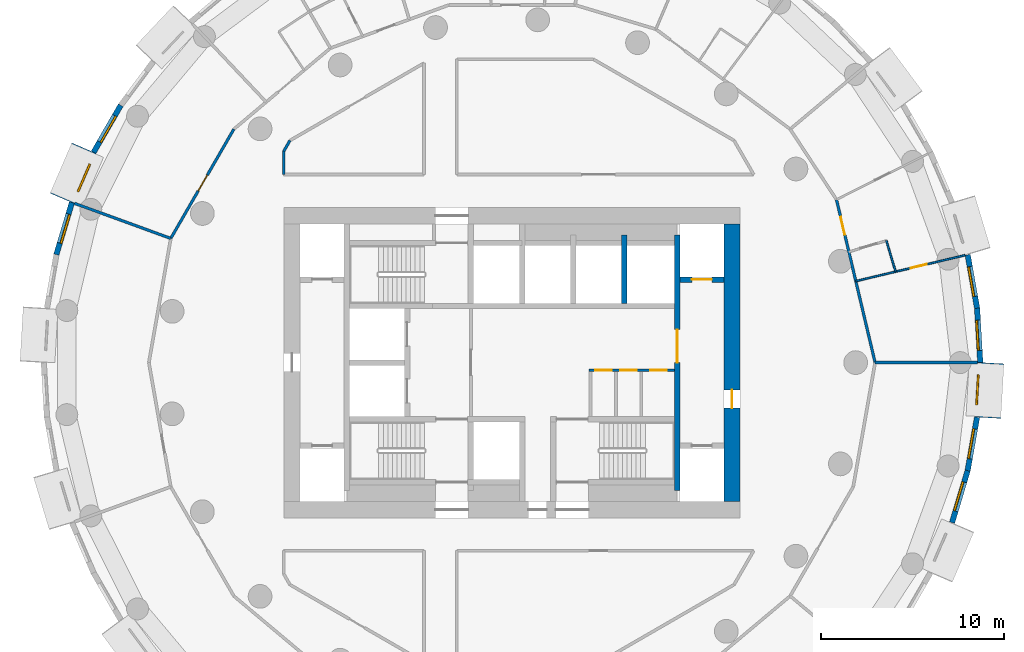
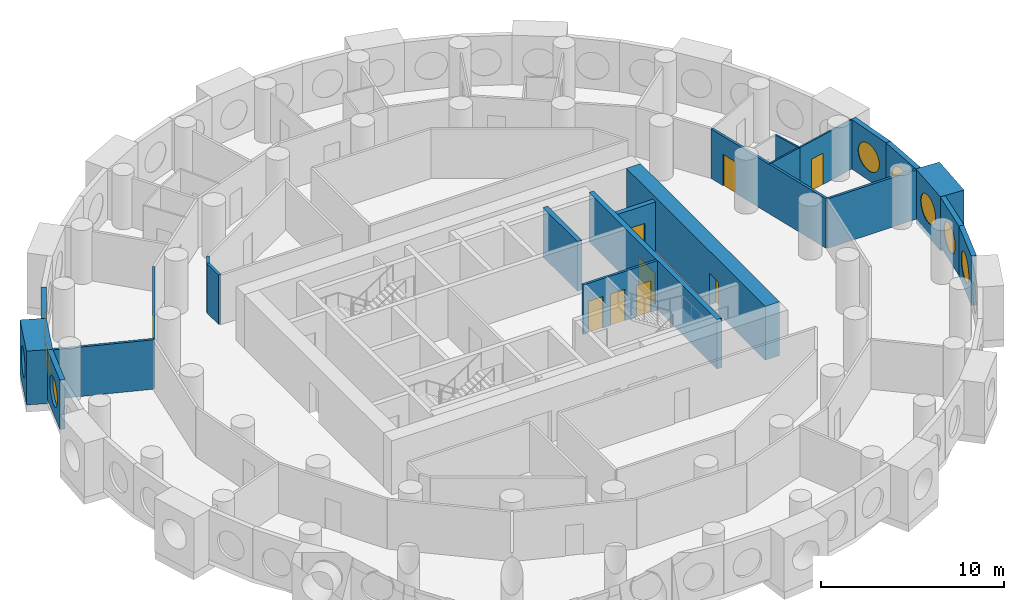
# One storey, part 5 of 9: 22 walls, 9 doors, 8 windows, 17 openings.
"""IFC4 building model written with IfcOpenShell, lengths in metres."""

import ifcopenshell
import ifcopenshell.guid

model = None  # the IFC model being written
_history = None  # IfcOwnerHistory: only IFC2X3 demands one
_inside = {}  # id of a spatial element -> (the spatial element, [elements in it])
_under = {}  # id of a project, library or spatial element -> (it, [spatial elements below it])
_declared = {}  # id of a project -> (the project, [libraries it declares])
_typed = {}  # id of a type object -> (the type object, [elements of that type])
_made_of = {}  # id of a material, layer set ... -> (it, [elements and type objects made of it])


def new_model(schema):
    """Start an empty IFC model of exactly this schema.

    Asked for "IFC4X3", IfcOpenShell would pick the latest addendum, in which some entities
    have other attributes; the version numbers below select the first issue.
    IFC2X3 requires an IfcOwnerHistory on every rooted entity: one is made here for all.
    """
    global model, _history
    if schema == "IFC4X3":
        model = ifcopenshell.file(schema_version=(4, 3, 0, 0))
    else:
        model = ifcopenshell.file(schema=schema)
    _inside.clear()
    _under.clear()
    _declared.clear()
    _typed.clear()
    _made_of.clear()
    _history = None
    if model.schema == "IFC2X3":
        org = make("IfcOrganization", Name="unknown")
        user = make(
            "IfcPersonAndOrganization",
            ThePerson=make("IfcPerson", FamilyName="unknown"),
            TheOrganization=org,
        )
        app = make(
            "IfcApplication",
            ApplicationDeveloper=org,
            Version="unknown",
            ApplicationFullName="unknown",
            ApplicationIdentifier="unknown",
        )
        _history = make(
            "IfcOwnerHistory",
            OwningUser=user,
            OwningApplication=app,
            ChangeAction="ADDED",
            CreationDate=0,
        )
    return model


def make(cls, **values):
    """One entity of the class cls with the attributes given. An attribute that is None is left unset."""
    return model.create_entity(
        cls, **{name: value for name, value in values.items() if value is not None}
    )


def rooted(cls, **values):
    """An entity with a GlobalId (a new one), such as an element, a storey or a relation."""
    return make(cls, GlobalId=ifcopenshell.guid.new(), OwnerHistory=_history, **values)


def si_unit(unit_type, name, prefix=None):
    """IfcSIUnit, for example si_unit("LENGTHUNIT", "METRE", prefix="MILLI")."""
    return make("IfcSIUnit", UnitType=unit_type, Prefix=prefix, Name=name)


def assignment(units):
    """IfcUnitAssignment: the units of a project."""
    return None if units is None else make("IfcUnitAssignment", Units=units)


def point(xyz):
    """IfcCartesianPoint."""
    return None if xyz is None else make("IfcCartesianPoint", Coordinates=xyz)


def direction(xyz):
    """IfcDirection."""
    return None if xyz is None else make("IfcDirection", DirectionRatios=xyz)


def frame(location, z_axis=None, x_axis=None):
    """IfcAxis2Placement3D, a coordinate frame: its origin and axes. An axis left out is left unset."""
    return make(
        "IfcAxis2Placement3D",
        Location=point(location),
        Axis=direction(z_axis),
        RefDirection=direction(x_axis),
    )


def frame_2d(location, x_axis=None):
    """IfcAxis2Placement2D, a coordinate frame in the plane: its origin and x axis."""
    return make(
        "IfcAxis2Placement2D", Location=point(location), RefDirection=direction(x_axis)
    )


def origin():
    """The frame at (0, 0, 0) with its axes left unset."""
    return frame((0.0, 0.0, 0.0))


def origin_2d():
    """The frame at (0, 0) in the plane with its x axis left unset."""
    return frame_2d((0.0, 0.0))


def place(relative_to, where):
    """IfcLocalPlacement: puts the frame where relative to a parent placement (None: the world)."""
    return make(
        "IfcLocalPlacement", PlacementRelTo=relative_to, RelativePlacement=where
    )


def context(
    kind, dimensions, precision=None, world=None, true_north=None, identifier=None
):
    """IfcGeometricRepresentationContext, for example the 3D "Model" context."""
    return make(
        "IfcGeometricRepresentationContext",
        ContextIdentifier=identifier,
        ContextType=kind,
        CoordinateSpaceDimension=dimensions,
        Precision=precision,
        WorldCoordinateSystem=world,
        TrueNorth=true_north,
    )


def subcontext(parent, identifier, kind, view, scale=None):
    """IfcGeometricRepresentationSubContext, for example "Body" below "Model"."""
    return make(
        "IfcGeometricRepresentationSubContext",
        ContextIdentifier=identifier,
        ContextType=kind,
        ParentContext=parent,
        TargetScale=scale,
        TargetView=view,
    )


def project(units=None, contexts=None):
    """IfcProject with its units and contexts."""
    return rooted(
        "IfcProject",
        Name="project",
        RepresentationContexts=contexts,
        UnitsInContext=assignment(units),
    )


def spatial(cls, under=None, at=None, **own):
    """A site, building, storey or space (cls), placed at a placement, below another one or the project."""
    s = rooted(cls, ObjectPlacement=at, **own)
    if under is not None:
        _under.setdefault(under.id(), (under, []))[1].append(s)
    return s


def profile(cls, at=None, kind="AREA", **sizes):
    """A parametric profile (cls). Its sizes go by their IFC names, for example OverallWidth=200.0."""
    return make(cls, ProfileType=kind, Position=at, **sizes)


def rectangle(**sizes):
    """IfcRectangleProfileDef."""
    return profile("IfcRectangleProfileDef", **sizes)


def circle(**sizes):
    """IfcCircleProfileDef."""
    return profile("IfcCircleProfileDef", **sizes)


def extrude(swept, where, along, depth):
    """IfcExtrudedAreaSolid: the profile swept, set in the frame where, extruded along a direction by depth."""
    return make(
        "IfcExtrudedAreaSolid",
        SweptArea=swept,
        Position=where,
        ExtrudedDirection=direction(along),
        Depth=depth,
    )


def shape(context_of_items, identifier, shape_type, items):
    """IfcShapeRepresentation: the items that make up one representation, for example the "Body"."""
    return make(
        "IfcShapeRepresentation",
        ContextOfItems=context_of_items,
        RepresentationIdentifier=identifier,
        RepresentationType=shape_type,
        Items=items,
    )


def material(Name=None, Category=None):
    """IfcMaterial."""
    return make("IfcMaterial", Name=Name, Category=Category)


def layer(
    of_material, thickness, ventilated=None, Name=None, Category=None, Priority=None
):
    """IfcMaterialLayer: one layer of a wall or slab, of a material (None: an air gap)."""
    return make(
        "IfcMaterialLayer",
        Material=of_material,
        LayerThickness=thickness,
        IsVentilated=ventilated,
        Name=Name,
        Category=Category,
        Priority=Priority,
    )


def layer_set(layers, Name=None):
    """IfcMaterialLayerSet."""
    return make("IfcMaterialLayerSet", MaterialLayers=layers, LayerSetName=Name)


def made_of(thing, what):
    """Note that an element or type object is made of a material, layer set ...; save() writes the relation."""
    if what is not None:
        _made_of.setdefault(what.id(), (what, []))[1].append(thing)
    return thing


def type_object(cls, material=None, **own):
    """A type object (cls), such as IfcWallType, which elements share."""
    return made_of(rooted(cls, **own), material)


def element(
    cls,
    number,
    at=None,
    inside=None,
    cuts=None,
    type_object=None,
    material=None,
    context=None,
    identifier="Body",
    shape_type=None,
    held_by="IfcProductDefinitionShape",
    body=None,
    shapes=None,
    **own,
):
    """One element of the class cls, such as IfcWall. Its Tag is "e" and its number.

    at: its placement. inside: the storey or other place that contains it. cuts: it is an
    opening in that element (IfcRelVoidsElement). A single representation is given by context,
    identifier, shape_type and body (its items); several are given by shapes. held_by: the class
    of the entity that holds the representations. save() writes the other relations.
    """
    e = rooted(cls, Tag="e%d" % number, ObjectPlacement=at, **own)
    if body is not None:
        shapes = [shape(context, identifier, shape_type, body)]
    if shapes is not None:
        e.Representation = make(held_by, Representations=shapes)
    if inside is not None:
        _inside.setdefault(inside.id(), (inside, []))[1].append(e)
    if cuts is not None:
        rooted(
            "IfcRelVoidsElement", RelatingBuildingElement=cuts, RelatedOpeningElement=e
        )
    if type_object is not None:
        _typed.setdefault(type_object.id(), (type_object, []))[1].append(e)
    return made_of(e, material)


def fill(opening, filler):
    """IfcRelFillsElement: the door or window that sits in an opening."""
    return rooted(
        "IfcRelFillsElement",
        RelatingOpeningElement=opening,
        RelatedBuildingElement=filler,
    )


def aggregate(whole, parts):
    """IfcRelAggregates: a whole, such as a stair, and the parts it consists of."""
    return rooted("IfcRelAggregates", RelatingObject=whole, RelatedObjects=parts)


def save(model, path):
    """Write the relations noted so far, then the file.

    IfcRelAggregates (storeys below a building ...), IfcRelContainedInSpatialStructure (elements
    in a storey), IfcRelDefinesByType, IfcRelAssociatesMaterial and IfcRelDeclares: one each for
    every whole, place, type object, material and project.
    """
    for whole, parts in _under.values():
        aggregate(whole, parts)
    for where, things in _inside.values():
        rooted(
            "IfcRelContainedInSpatialStructure",
            RelatedElements=things,
            RelatingStructure=where,
        )
    for kind, things in _typed.values():
        rooted("IfcRelDefinesByType", RelatedObjects=things, RelatingType=kind)
    for what, things in _made_of.values():
        rooted("IfcRelAssociatesMaterial", RelatedObjects=things, RelatingMaterial=what)
    for by, libraries in _declared.values():
        rooted("IfcRelDeclares", RelatingContext=by, RelatedDefinitions=libraries)
    model.write(path)


model = new_model("IFC4")

# Units and contexts
model_context = context("Model", 3, precision=1e-05, world=origin(), true_north=direction((0.0, 1.0)))
body_context = subcontext(model_context, "Body", "Model", "MODEL_VIEW")
ifc_project = project(units=[si_unit("LENGTHUNIT", "METRE"), si_unit("AREAUNIT", "SQUARE_METRE"), si_unit("VOLUMEUNIT", "CUBIC_METRE"), si_unit("PLANEANGLEUNIT", "RADIAN"), si_unit("MASSUNIT", "GRAM", prefix="KILO")], contexts=[model_context])

# Site, building, storey
site_placement = place(None, origin())
site = spatial("IfcSite", under=ifc_project, at=site_placement, CompositionType="ELEMENT")
building_placement = place(site_placement, origin())
building = spatial("IfcBuilding", under=site, at=building_placement, Name="Tracery Tower", CompositionType="ELEMENT")
storey_placement = place(building_placement, frame((0.0, 0.0, 176.39990234375)))
storey = spatial("IfcBuildingStorey", under=building, at=storey_placement, Name="L45", CompositionType="ELEMENT", Elevation=176.39990234375)

# Wall, openings, doors
ifc_material_1 = material(Name="Plasterboard on steel studs", Category="steel")
ifc_layer_1 = layer(ifc_material_1, 0.14990234375)
ifc_layer_set_1 = layer_set([ifc_layer_1], Name="Core room partition 150")
wall_type_1 = type_object("IfcWallType", Name="Core room partition 150", PredefinedType="SOLIDWALL", material=ifc_layer_set_1)
wall_1_placement = place(storey_placement, frame((4.22509765625, -0.425048828125, 0.0), z_axis=(0.0, 0.0, 1.0), x_axis=(1.0, 0.0, 0.0)))
wall_1 = element("IfcWall", 1, at=wall_1_placement, inside=storey, type_object=wall_type_1, Name="L45 slot N", PredefinedType="SOLIDWALL", context=body_context, shape_type="SweptSolid", body=[
    extrude(rectangle(XDim=4.6748046875, YDim=0.14990234375, at=frame_2d((2.33740234375, 0.0))), origin(), (0.0, 0.0, 1.0), 3.300048828125),
])
opening_1_placement = place(wall_1_placement, frame((0.324951171875, 0.0, 0.0)))
opening_1 = element("IfcOpeningElement", 2, at=opening_1_placement, cuts=wall_1, Name="Opening KD27", PredefinedType="OPENING", context=body_context, shape_type="SweptSolid", body=[
    extrude(rectangle(XDim=0.89990234375, YDim=2.10009765625, at=frame_2d((0.449951171875, 1.050048828125))), frame((0.0, 0.074951171875, 0.0), z_axis=(0.0, -1.0, 0.0), x_axis=(1.0, 0.0, 0.0)), (0.0, 0.0, 1.0), 0.14990234375),
])
opening_2_placement = place(wall_1_placement, frame((1.71240234375, 0.0, 0.0)))
opening_2 = element("IfcOpeningElement", 3, at=opening_2_placement, cuts=wall_1, Name="Opening KD26", PredefinedType="OPENING", context=body_context, shape_type="SweptSolid", body=[
    extrude(rectangle(XDim=0.89990234375, YDim=2.10009765625, at=frame_2d((0.449951171875, 1.050048828125))), frame((0.0, 0.074951171875, 0.0), z_axis=(0.0, -1.0, 0.0), x_axis=(1.0, 0.0, 0.0)), (0.0, 0.0, 1.0), 0.14990234375),
])
opening_3_placement = place(wall_1_placement, frame((3.35009765625, 0.0, 0.0)))
opening_3 = element("IfcOpeningElement", 4, at=opening_3_placement, cuts=wall_1, Name="Opening KD22", PredefinedType="OPENING", context=body_context, shape_type="SweptSolid", body=[
    extrude(rectangle(XDim=0.89990234375, YDim=2.10009765625, at=frame_2d((0.449951171875, 1.050048828125))), frame((0.0, 0.074951171875, 0.0), z_axis=(0.0, -1.0, 0.0), x_axis=(1.0, 0.0, 0.0)), (0.0, 0.0, 1.0), 0.14990234375),
])
ifc_material_2 = material(Name="Timber door leaf", Category="wood")
door_type_1 = type_object("IfcDoorType", Name="Core WC door 900", OperationType="NOTDEFINED", PredefinedType="DOOR", material=ifc_material_2)
door_1_placement = place(opening_3_placement, origin())
door_1 = element("IfcDoor", 5, at=door_1_placement, inside=storey, type_object=door_type_1, Name="Core door", OperationType="SINGLE_SWING_RIGHT", OverallHeight=2.10009765625, OverallWidth=0.89990234375, PredefinedType="DOOR", context=body_context, shape_type="SweptSolid", body=[
    extrude(rectangle(XDim=0.89990234375, YDim=2.10009765625, at=frame_2d((0.449951171875, 1.050048828125))), frame((0.0, 0.02490234375, 0.0), z_axis=(0.0, -1.0, 0.0), x_axis=(1.0, 0.0, 0.0)), (0.0, 0.0, 1.0), 0.050048828125),
])
fill(opening_3, door_1)
ifc_material_3 = material(Name="Timber door leaf", Category="wood")
door_type_2 = type_object("IfcDoorType", Name="Core store door 900", OperationType="NOTDEFINED", PredefinedType="DOOR", material=ifc_material_3)
door_2_placement = place(opening_1_placement, origin())
door_2 = element("IfcDoor", 6, at=door_2_placement, inside=storey, type_object=door_type_2, Name="Core door", OperationType="SINGLE_SWING_RIGHT", OverallHeight=2.10009765625, OverallWidth=0.89990234375, PredefinedType="DOOR", context=body_context, shape_type="SweptSolid", body=[
    extrude(rectangle(XDim=0.89990234375, YDim=2.10009765625, at=frame_2d((0.449951171875, 1.050048828125))), frame((0.0, 0.02490234375, 0.0), z_axis=(0.0, -1.0, 0.0), x_axis=(1.0, 0.0, 0.0)), (0.0, 0.0, 1.0), 0.050048828125),
])
fill(opening_1, door_2)
door_3_placement = place(opening_2_placement, origin())
door_3 = element("IfcDoor", 7, at=door_3_placement, inside=storey, type_object=door_type_2, Name="Core door", OperationType="SINGLE_SWING_LEFT", OverallHeight=2.10009765625, OverallWidth=0.89990234375, PredefinedType="DOOR", context=body_context, shape_type="SweptSolid", body=[
    extrude(rectangle(XDim=0.89990234375, YDim=2.10009765625, at=frame_2d((0.449951171875, 1.050048828125))), frame((0.0, 0.02490234375, 0.0), z_axis=(0.0, -1.0, 0.0), x_axis=(1.0, 0.0, 0.0)), (0.0, 0.0, 1.0), 0.050048828125),
])
fill(opening_2, door_3)

# Wall, opening, door
ifc_material_4 = material(Name="Concrete C50/60", Category="concrete")
ifc_layer_2 = layer(ifc_material_4, 0.89990234375)
ifc_layer_set_2 = layer_set([ifc_layer_2], Name="Core wall 900 C50")
wall_type_2 = type_object("IfcWallType", Name="Core wall 900 C50", PredefinedType="SOLIDWALL", material=ifc_layer_set_2)
wall_2_placement = place(storey_placement, frame((12.050048828125, -7.60009765625, 0.0), z_axis=(0.0, 0.0, 1.0), x_axis=(0.0, 1.0, 0.0)))
wall_2 = element("IfcWall", 8, at=wall_2_placement, inside=storey, type_object=wall_type_2, Name="L45 outer E", PredefinedType="SOLIDWALL", context=body_context, shape_type="SweptSolid", body=[
    extrude(rectangle(XDim=15.2001953125, YDim=0.89990234375, at=frame_2d((7.60009765625, 0.0))), origin(), (0.0, 0.0, 1.0), 3.60009765625),
])
opening_4_placement = place(wall_2_placement, frame((5.10009765625, 0.0, 0.0)))
opening_4 = element("IfcOpeningElement", 9, at=opening_4_placement, cuts=wall_2, Name="Opening KD18", PredefinedType="OPENING", context=body_context, shape_type="SweptSolid", body=[
    extrude(rectangle(XDim=1.0, YDim=2.10009765625, at=frame_2d((0.5, 1.050048828125))), frame((0.0, 0.449951171875, 0.0), z_axis=(0.0, -1.0, 0.0), x_axis=(1.0, 0.0, 0.0)), (0.0, 0.0, 1.0), 0.89990234375),
])
ifc_material_5 = material(Name="Steel fire door", Category="steel")
door_type_3 = type_object("IfcDoorType", Name="Core exit door 1000", OperationType="NOTDEFINED", PredefinedType="DOOR", material=ifc_material_5)
door_4_placement = place(opening_4_placement, origin())
door_4 = element("IfcDoor", 10, at=door_4_placement, inside=storey, type_object=door_type_3, Name="Core exit door", OperationType="DOUBLE_DOOR_SINGLE_SWING", OverallHeight=2.10009765625, OverallWidth=1.0, PredefinedType="DOOR", context=body_context, shape_type="SweptSolid", body=[
    extrude(rectangle(XDim=1.0, YDim=2.10009765625, at=frame_2d((0.5, 1.050048828125))), frame((0.0, 0.02490234375, 0.0), z_axis=(0.0, -1.0, 0.0), x_axis=(1.0, 0.0, 0.0)), (0.0, 0.0, 1.0), 0.050048828125),
])
fill(opening_4, door_4)

# Wall, opening, window
ifc_material_6 = material(Name="Precast concrete C50/60", Category="concrete")
ifc_layer_3 = layer(ifc_material_6, 1.449951171875)
ifc_layer_set_3 = layer_set([ifc_layer_3], Name="Deep-set bay unit 3000 x 3600, slab edge 300")
wall_type_3 = type_object("IfcWallType", Name="Deep-set bay unit 3000 x 3600, slab edge 300", PredefinedType="ELEMENTEDWALL", material=ifc_layer_set_3)
wall_3_placement = place(storey_placement, frame((-23.44384765625, 11.746337890625, -0.2998046875), z_axis=(0.0, 0.0, 1.0), x_axis=(-0.396079003245, -0.918216435917, 0.0)))
wall_3 = element("IfcWall", 11, at=wall_3_placement, inside=storey, type_object=wall_type_3, Name="Deep-set bay unit 24 at L45", PredefinedType="ELEMENTEDWALL", context=body_context, shape_type="SweptSolid", body=[
    extrude(rectangle(XDim=3.0, YDim=1.449951171875, at=frame_2d((1.5, 0.0))), origin(), (0.0, 0.0, 1.0), 3.599853515625),
])
opening_5_placement = place(wall_3_placement, frame((1.5, 0.0, 1.85009765625)))
opening_5 = element("IfcOpeningElement", 12, at=opening_5_placement, cuts=wall_3, Name="Opening WN1", PredefinedType="OPENING", context=body_context, shape_type="SweptSolid", body=[
    extrude(circle(Radius=0.9000244140625, at=origin_2d()), frame((0.0, 0.73486328125, 0.0), z_axis=(0.0, -1.0, 0.0), x_axis=(1.0, 0.0, 0.0)), (0.0, 0.0, 1.0), 1.469970703125),
])
ifc_material_7 = material(Name="Aluminium frame with tinted double glazing", Category="aluminium")
window_type = type_object("IfcWindowType", Name="Round window 1800", PartitioningType="SINGLE_PANEL", PredefinedType="WINDOW", material=ifc_material_7)
window_1_placement = place(opening_5_placement, origin())
window_1 = element("IfcWindow", 13, at=window_1_placement, inside=storey, type_object=window_type, Name="Round window 24 at L45", OverallHeight=1.800048828125, OverallWidth=1.800048828125, PartitioningType="SINGLE_PANEL", PredefinedType="WINDOW", context=body_context, shape_type="SweptSolid", body=[
    extrude(circle(Radius=0.9000244140625, at=origin_2d()), frame((0.0, 0.69482421875, 0.0), z_axis=(0.0, -1.0, 0.0), x_axis=(1.0, 0.0, 0.0)), (0.0, 0.0, 1.0), 0.10009765625),
])
fill(opening_5, window_1)

wall_4_placement = place(storey_placement, frame((26.047607421875, -3.01953125, -0.2998046875), z_axis=(0.0, 0.0, 1.0), x_axis=(0.058106596105, 0.998310384344, 0.0)))
wall_4 = element("IfcWall", 14, at=wall_4_placement, inside=storey, type_object=wall_type_3, Name="Deep-set bay unit 54 at L45", PredefinedType="ELEMENTEDWALL", context=body_context, shape_type="SweptSolid", body=[
    extrude(rectangle(XDim=3.0, YDim=1.449951171875, at=frame_2d((1.5, 0.0))), origin(), (0.0, 0.0, 1.0), 3.599853515625),
])
opening_6_placement = place(wall_4_placement, frame((1.5, 0.0, 1.85009765625)))
opening_6 = element("IfcOpeningElement", 15, at=opening_6_placement, cuts=wall_4, Name="Opening WN1", PredefinedType="OPENING", context=body_context, shape_type="SweptSolid", body=[
    extrude(circle(Radius=0.9000244140625, at=origin_2d()), frame((0.0, 0.73486328125, 0.0), z_axis=(0.0, -1.0, 0.0), x_axis=(1.0, 0.0, 0.0)), (0.0, 0.0, 1.0), 1.469970703125),
])
window_2_placement = place(opening_6_placement, origin())
window_2 = element("IfcWindow", 16, at=window_2_placement, inside=storey, type_object=window_type, Name="Round window 54 at L45", OverallHeight=1.800048828125, OverallWidth=1.800048828125, PartitioningType="SINGLE_PANEL", PredefinedType="WINDOW", context=body_context, shape_type="SweptSolid", body=[
    extrude(circle(Radius=0.9000244140625, at=origin_2d()), frame((0.0, 0.69482421875, 0.0), z_axis=(0.0, -1.0, 0.0), x_axis=(1.0, 0.0, 0.0)), (0.0, 0.0, 1.0), 0.10009765625),
])
fill(opening_6, window_2)

ifc_material_8 = material(Name="Precast concrete C50/60", Category="concrete")
ifc_layer_4 = layer(ifc_material_8, 0.300048828125)
ifc_layer_set_4 = layer_set([ifc_layer_4], Name="Facade panel 3000 x 3300")
wall_type_4 = type_object("IfcWallType", Name="Facade panel 3000 x 3300", PredefinedType="SOLIDWALL", material=ifc_layer_set_4)
wall_5_placement = place(storey_placement, frame((25.64697265625, 0.009521484375, 0.0), z_axis=(0.0, 0.0, 1.0), x_axis=(-0.058139540521, 0.998308466271, 0.0)))
wall_5 = element("IfcWall", 17, at=wall_5_placement, inside=storey, type_object=wall_type_4, Name="Facade panel 1 at L45", PredefinedType="SOLIDWALL", context=body_context, shape_type="SweptSolid", body=[
    extrude(rectangle(XDim=2.97314453125, YDim=0.300048828125, at=frame_2d((1.486572265625, 0.0))), origin(), (0.0, 0.0, 1.0), 3.300048828125),
])
opening_7_placement = place(wall_5_placement, frame((1.486328125, 0.0, 1.5498046875)))
opening_7 = element("IfcOpeningElement", 18, at=opening_7_placement, cuts=wall_5, Name="Opening WN1", PredefinedType="OPENING", context=body_context, shape_type="SweptSolid", body=[
    extrude(circle(Radius=0.9000244140625, at=origin_2d()), frame((0.0, 0.159912109375, 0.0), z_axis=(0.0, -1.0, 0.0), x_axis=(1.0, 0.0, 0.0)), (0.0, 0.0, 1.0), 0.320068359375),
])
window_3_placement = place(opening_7_placement, origin())
window_3 = element("IfcWindow", 19, at=window_3_placement, inside=storey, type_object=window_type, Name="Round window 1 at L45", OverallHeight=1.800048828125, OverallWidth=1.800048828125, PartitioningType="SINGLE_PANEL", PredefinedType="WINDOW", context=body_context, shape_type="SweptSolid", body=[
    extrude(circle(Radius=0.9000244140625, at=origin_2d()), frame((0.0, 0.1201171875, 0.0), z_axis=(0.0, -1.0, 0.0), x_axis=(1.0, 0.0, 0.0)), (0.0, 0.0, 1.0), 0.10009765625),
])
fill(opening_7, window_3)

wall_6_placement = place(storey_placement, frame((25.47412109375, 2.9775390625, 0.0), z_axis=(0.0, 0.0, 1.0), x_axis=(-0.173686952598, 0.984800915159, 0.0)))
wall_6 = element("IfcWall", 20, at=wall_6_placement, inside=storey, type_object=wall_type_4, Name="Facade panel 2 at L45", PredefinedType="SOLIDWALL", context=body_context, shape_type="SweptSolid", body=[
    extrude(rectangle(XDim=2.972900390625, YDim=0.300048828125, at=frame_2d((1.486328125, 0.0))), origin(), (0.0, 0.0, 1.0), 3.300048828125),
])
opening_8_placement = place(wall_6_placement, frame((1.486328125, 0.0, 1.5498046875)))
opening_8 = element("IfcOpeningElement", 21, at=opening_8_placement, cuts=wall_6, Name="Opening WN1", PredefinedType="OPENING", context=body_context, shape_type="SweptSolid", body=[
    extrude(circle(Radius=0.9000244140625, at=origin_2d()), frame((0.0, 0.159912109375, 0.0), z_axis=(0.0, -1.0, 0.0), x_axis=(1.0, 0.0, 0.0)), (0.0, 0.0, 1.0), 0.320068359375),
])
window_4_placement = place(opening_8_placement, origin())
window_4 = element("IfcWindow", 22, at=window_4_placement, inside=storey, type_object=window_type, Name="Round window 2 at L45", OverallHeight=1.800048828125, OverallWidth=1.800048828125, PartitioningType="SINGLE_PANEL", PredefinedType="WINDOW", context=body_context, shape_type="SweptSolid", body=[
    extrude(circle(Radius=0.9000244140625, at=origin_2d()), frame((0.0, 0.1201171875, 0.0), z_axis=(0.0, -1.0, 0.0), x_axis=(1.0, 0.0, 0.0)), (0.0, 0.0, 1.0), 0.10009765625),
])
fill(opening_8, window_4)

wall_7_placement = place(storey_placement, frame((-21.42822265625, 14.093505859375, 0.0), z_axis=(0.0, 0.0, 1.0), x_axis=(-0.499954672104, -0.866051572276, 0.0)))
wall_7 = element("IfcWall", 23, at=wall_7_placement, inside=storey, type_object=wall_type_4, Name="Facade panel 23 at L45", PredefinedType="SOLIDWALL", context=body_context, shape_type="SweptSolid", body=[
    extrude(rectangle(XDim=2.972900390625, YDim=0.300048828125, at=frame_2d((1.486328125, 0.0))), origin(), (0.0, 0.0, 1.0), 3.300048828125),
])
opening_9_placement = place(wall_7_placement, frame((1.486328125, 0.0, 1.5498046875)))
opening_9 = element("IfcOpeningElement", 24, at=opening_9_placement, cuts=wall_7, Name="Opening WN1", PredefinedType="OPENING", context=body_context, shape_type="SweptSolid", body=[
    extrude(circle(Radius=0.9000244140625, at=origin_2d()), frame((0.0, 0.159912109375, 0.0), z_axis=(0.0, -1.0, 0.0), x_axis=(1.0, 0.0, 0.0)), (0.0, 0.0, 1.0), 0.320068359375),
])
window_5_placement = place(opening_9_placement, origin())
window_5 = element("IfcWindow", 25, at=window_5_placement, inside=storey, type_object=window_type, Name="Round window 23 at L45", OverallHeight=1.800048828125, OverallWidth=1.800048828125, PartitioningType="SINGLE_PANEL", PredefinedType="WINDOW", context=body_context, shape_type="SweptSolid", body=[
    extrude(circle(Radius=0.9000244140625, at=origin_2d()), frame((0.0, 0.1201171875, 0.0), z_axis=(0.0, -1.0, 0.0), x_axis=(1.0, 0.0, 0.0)), (0.0, 0.0, 1.0), 0.10009765625),
])
fill(opening_9, window_5)

wall_8_placement = place(storey_placement, frame((-24.103515625, 8.7626953125, 0.0), z_axis=(0.0, 0.0, 1.0), x_axis=(-0.286782750849, -0.957995643944, 0.0)))
wall_8 = element("IfcWall", 26, at=wall_8_placement, inside=storey, type_object=wall_type_4, Name="Facade panel 25 at L45", PredefinedType="SOLIDWALL", context=body_context, shape_type="SweptSolid", body=[
    extrude(rectangle(XDim=2.97265625, YDim=0.300048828125, at=frame_2d((1.486328125, 0.0))), origin(), (0.0, 0.0, 1.0), 3.300048828125),
])
opening_10_placement = place(wall_8_placement, frame((1.486328125, 0.0, 1.5498046875)))
opening_10 = element("IfcOpeningElement", 27, at=opening_10_placement, cuts=wall_8, Name="Opening WN1", PredefinedType="OPENING", context=body_context, shape_type="SweptSolid", body=[
    extrude(circle(Radius=0.9000244140625, at=origin_2d()), frame((0.0, 0.159912109375, 0.0), z_axis=(0.0, -1.0, 0.0), x_axis=(1.0, 0.0, 0.0)), (0.0, 0.0, 1.0), 0.320068359375),
])
window_6_placement = place(opening_10_placement, origin())
window_6 = element("IfcWindow", 28, at=window_6_placement, inside=storey, type_object=window_type, Name="Round window 25 at L45", OverallHeight=1.800048828125, OverallWidth=1.800048828125, PartitioningType="SINGLE_PANEL", PredefinedType="WINDOW", context=body_context, shape_type="SweptSolid", body=[
    extrude(circle(Radius=0.9000244140625, at=origin_2d()), frame((0.0, 0.1201171875, 0.0), z_axis=(0.0, -1.0, 0.0), x_axis=(1.0, 0.0, 0.0)), (0.0, 0.0, 1.0), 0.10009765625),
])
fill(opening_10, window_6)

wall_9_placement = place(storey_placement, frame((24.103515625, -8.7626953125, 0.0), z_axis=(0.0, 0.0, 1.0), x_axis=(0.286782750849, 0.957995643944, 0.0)))
wall_9 = element("IfcWall", 29, at=wall_9_placement, inside=storey, type_object=wall_type_4, Name="Facade panel 52 at L45", PredefinedType="SOLIDWALL", context=body_context, shape_type="SweptSolid", body=[
    extrude(rectangle(XDim=2.97265625, YDim=0.300048828125, at=frame_2d((1.486328125, 0.0))), origin(), (0.0, 0.0, 1.0), 3.300048828125),
])
opening_11_placement = place(wall_9_placement, frame((1.486328125, 0.0, 1.5498046875)))
opening_11 = element("IfcOpeningElement", 30, at=opening_11_placement, cuts=wall_9, Name="Opening WN1", PredefinedType="OPENING", context=body_context, shape_type="SweptSolid", body=[
    extrude(circle(Radius=0.9000244140625, at=origin_2d()), frame((0.0, 0.159912109375, 0.0), z_axis=(0.0, -1.0, 0.0), x_axis=(1.0, 0.0, 0.0)), (0.0, 0.0, 1.0), 0.320068359375),
])
window_7_placement = place(opening_11_placement, origin())
window_7 = element("IfcWindow", 31, at=window_7_placement, inside=storey, type_object=window_type, Name="Round window 52 at L45", OverallHeight=1.800048828125, OverallWidth=1.800048828125, PartitioningType="SINGLE_PANEL", PredefinedType="WINDOW", context=body_context, shape_type="SweptSolid", body=[
    extrude(circle(Radius=0.9000244140625, at=origin_2d()), frame((0.0, 0.1201171875, 0.0), z_axis=(0.0, -1.0, 0.0), x_axis=(1.0, 0.0, 0.0)), (0.0, 0.0, 1.0), 0.10009765625),
])
fill(opening_11, window_7)

wall_10_placement = place(storey_placement, frame((24.9560546875, -5.914794921875, 0.0), z_axis=(0.0, 0.0, 1.0), x_axis=(0.173686952598, 0.984800915159, 0.0)))
wall_10 = element("IfcWall", 32, at=wall_10_placement, inside=storey, type_object=wall_type_4, Name="Facade panel 53 at L45", PredefinedType="SOLIDWALL", context=body_context, shape_type="SweptSolid", body=[
    extrude(rectangle(XDim=2.972900390625, YDim=0.300048828125, at=frame_2d((1.486328125, 0.0))), origin(), (0.0, 0.0, 1.0), 3.300048828125),
])
opening_12_placement = place(wall_10_placement, frame((1.486328125, 0.0, 1.5498046875)))
opening_12 = element("IfcOpeningElement", 33, at=opening_12_placement, cuts=wall_10, Name="Opening WN1", PredefinedType="OPENING", context=body_context, shape_type="SweptSolid", body=[
    extrude(circle(Radius=0.9000244140625, at=origin_2d()), frame((0.0, 0.159912109375, 0.0), z_axis=(0.0, -1.0, 0.0), x_axis=(1.0, 0.0, 0.0)), (0.0, 0.0, 1.0), 0.320068359375),
])
window_8_placement = place(opening_12_placement, origin())
window_8 = element("IfcWindow", 34, at=window_8_placement, inside=storey, type_object=window_type, Name="Round window 53 at L45", OverallHeight=1.800048828125, OverallWidth=1.800048828125, PartitioningType="SINGLE_PANEL", PredefinedType="WINDOW", context=body_context, shape_type="SweptSolid", body=[
    extrude(circle(Radius=0.9000244140625, at=origin_2d()), frame((0.0, 0.1201171875, 0.0), z_axis=(0.0, -1.0, 0.0), x_axis=(1.0, 0.0, 0.0)), (0.0, 0.0, 1.0), 0.10009765625),
])
fill(opening_12, window_8)

# Wall, opening, door
ifc_material_9 = material(Name="Plasterboard on steel studs", Category="steel")
ifc_layer_5 = layer(ifc_material_9, 0.10009765625)
ifc_layer_set_5 = layer_set([ifc_layer_5], Name="Partition 100 stud")
wall_type_5 = type_object("IfcWallType", Name="Partition 100 stud", PredefinedType="PARTITIONING", material=ifc_layer_set_5)
wall_11_placement = place(storey_placement, frame((21.010986328125, 4.97998046875, 0.0), z_axis=(0.0, 0.0, 1.0), x_axis=(0.973073275162, 0.230495989477, 0.0)))
wall_11 = element("IfcWall", 35, at=wall_11_placement, inside=storey, type_object=wall_type_5, Name="Stud partition RB5-039", PredefinedType="PARTITIONING", context=body_context, shape_type="SweptSolid", body=[
    extrude(rectangle(XDim=3.904296875, YDim=0.10009765625, at=frame_2d((1.9521484375, 0.0))), origin(), (0.0, 0.0, 1.0), 3.300048828125),
])
opening_13_placement = place(wall_11_placement, frame((0.852294921875, 0.0, 0.0)))
opening_13 = element("IfcOpeningElement", 36, at=opening_13_placement, cuts=wall_11, Name="Opening RB5-05", PredefinedType="OPENING", context=body_context, shape_type="SweptSolid", body=[
    extrude(rectangle(XDim=0.89990234375, YDim=2.10009765625, at=frame_2d((0.449951171875, 1.050048828125))), frame((0.0, 0.050048828125, 0.0), z_axis=(0.0, -1.0, 0.0), x_axis=(1.0, 0.0, 0.0)), (0.0, 0.0, 1.0), 0.10009765625),
])
ifc_material_10 = material(Name="Timber door leaf", Category="wood")
door_type_4 = type_object("IfcDoorType", Name="Door bedroom 900", OperationType="NOTDEFINED", PredefinedType="DOOR", material=ifc_material_10)
door_5_placement = place(opening_13_placement, origin())
door_5 = element("IfcDoor", 37, at=door_5_placement, inside=storey, type_object=door_type_4, Name="Bedroom door RB5-05", OperationType="SINGLE_SWING_RIGHT", OverallHeight=2.10009765625, OverallWidth=0.89990234375, PredefinedType="DOOR", context=body_context, shape_type="SweptSolid", body=[
    extrude(rectangle(XDim=0.89990234375, YDim=2.10009765625, at=frame_2d((0.449951171875, 1.050048828125))), frame((0.0, 0.02490234375, 0.0), z_axis=(0.0, -1.0, 0.0), x_axis=(1.0, 0.0, 0.0)), (0.0, 0.0, 1.0), 0.050048828125),
])
fill(opening_13, door_5)

# Walls
ifc_material_11 = material(Name="Plasterboard on steel studs", Category="steel")
ifc_layer_6 = layer(ifc_material_11, 0.10009765625)
ifc_layer_set_6 = layer_set([ifc_layer_6], Name="Partition 100 wet wall")
wall_type_6 = type_object("IfcWallType", Name="Partition 100 wet wall", PredefinedType="PARTITIONING", material=ifc_layer_set_6)
wall_12_placement = place(storey_placement, frame((20.501953125, 6.677978515625, 0.0), z_axis=(0.0, 0.0, 1.0), x_axis=(0.287158348986, -0.957883125756, 0.0)))
element("IfcWall", 38, at=wall_12_placement, inside=storey, type_object=wall_type_6, Name="Wet wall RB5-041", PredefinedType="PARTITIONING", context=body_context, shape_type="SweptSolid", body=[
    extrude(rectangle(XDim=1.772705078125, YDim=0.10009765625, at=frame_2d((0.88623046875, 0.0))), origin(), (0.0, 0.0, 1.0), 3.300048828125),
])
wall_13_placement = place(storey_placement, frame((18.830078125, 4.462890625, 0.0), z_axis=(0.0, 0.0, 1.0), x_axis=(0.973019293695, 0.23072376145, 0.0)))
element("IfcWall", 39, at=wall_13_placement, inside=storey, type_object=wall_type_6, Name="Wet wall RB5-043", PredefinedType="PARTITIONING", context=body_context, shape_type="SweptSolid", body=[
    extrude(rectangle(XDim=2.245361328125, YDim=0.10009765625, at=frame_2d((1.12255859375, 0.0))), origin(), (0.0, 0.0, 1.0), 3.300048828125),
])
ifc_material_12 = material(Name="Plasterboard on steel studs", Category="steel")
ifc_layer_7 = layer(ifc_material_12, 0.14990234375)
ifc_layer_set_7 = layer_set([ifc_layer_7], Name="Partition 150 acoustic unit wall")
wall_type_7 = type_object("IfcWallType", Name="Partition 150 acoustic unit wall", PredefinedType="PARTITIONING", material=ifc_layer_set_7)
wall_14_placement = place(storey_placement, frame((19.887939453125, 0.0, 0.0), z_axis=(0.0, 0.0, 1.0), x_axis=(1.0, 0.0, 0.0)))
element("IfcWall", 40, at=wall_14_placement, inside=storey, type_object=wall_type_7, Name="Unit wall RB5-044", PredefinedType="PARTITIONING", context=body_context, shape_type="SweptSolid", body=[
    extrude(rectangle(XDim=5.609130859375, YDim=0.14990234375, at=frame_2d((2.8046875, 0.0))), origin(), (0.0, 0.0, 1.0), 3.300048828125),
])
wall_15_placement = place(storey_placement, frame((-23.9599609375, 8.720947265625, 0.0), z_axis=(0.0, 0.0, 1.0), x_axis=(0.939686652043, -0.342036541866, 0.0)))
element("IfcWall", 41, at=wall_15_placement, inside=storey, type_object=wall_type_7, Name="Unit wall RB5-062", PredefinedType="PARTITIONING", context=body_context, shape_type="SweptSolid", body=[
    extrude(rectangle(XDim=5.6103515625, YDim=0.14990234375, at=frame_2d((2.80517578125, 0.0))), origin(), (0.0, 0.0, 1.0), 3.300048828125),
])

# Wall, opening, door
ifc_material_13 = material(Name="Plasterboard on steel studs", Category="steel")
ifc_layer_8 = layer(ifc_material_13, 0.14990234375)
ifc_layer_set_8 = layer_set([ifc_layer_8], Name="Partition 150 corridor wall")
wall_type_8 = type_object("IfcWallType", Name="Partition 150 corridor wall", PredefinedType="PARTITIONING", material=ifc_layer_set_8)
wall_16_placement = place(storey_placement, frame((17.77197265625, 8.926025390625, 0.0), z_axis=(0.0, 0.0, 1.0), x_axis=(0.230531374136, -0.973064892769, 0.0)))
wall_16 = element("IfcWall", 42, at=wall_16_placement, inside=storey, type_object=wall_type_8, Name="Corridor wall RB5-007", PredefinedType="PARTITIONING", context=body_context, shape_type="SweptSolid", body=[
    extrude(rectangle(XDim=9.17333984375, YDim=0.14990234375, at=frame_2d((4.586669921875, 0.0))), origin(), (0.0, 0.0, 1.0), 3.300048828125),
])
opening_14_placement = place(wall_16_placement, frame((0.972900390625, 0.0, 0.0)))
opening_14 = element("IfcOpeningElement", 43, at=opening_14_placement, cuts=wall_16, Name="Opening RB5-08", PredefinedType="OPENING", context=body_context, shape_type="SweptSolid", body=[
    extrude(rectangle(XDim=1.0, YDim=2.10009765625, at=frame_2d((0.5, 1.050048828125))), frame((0.0, 0.074951171875, 0.0), z_axis=(0.0, -1.0, 0.0), x_axis=(1.0, 0.0, 0.0)), (0.0, 0.0, 1.0), 0.14990234375),
])
ifc_material_14 = material(Name="Timber door leaf", Category="wood")
door_type_5 = type_object("IfcDoorType", Name="Door unit entrance 1000", OperationType="NOTDEFINED", PredefinedType="DOOR", material=ifc_material_14)
door_6_placement = place(opening_14_placement, origin())
door_6 = element("IfcDoor", 44, at=door_6_placement, inside=storey, type_object=door_type_5, Name="Unit entrance door RB5-08", OperationType="SINGLE_SWING_RIGHT", OverallHeight=2.10009765625, OverallWidth=1.0, PredefinedType="DOOR", context=body_context, shape_type="SweptSolid", body=[
    extrude(rectangle(XDim=1.0, YDim=2.10009765625, at=frame_2d((0.5, 1.050048828125))), frame((0.0, 0.02490234375, 0.0), z_axis=(0.0, -1.0, 0.0), x_axis=(1.0, 0.0, 0.0)), (0.0, 0.0, 1.0), 0.050048828125),
])
fill(opening_14, door_6)

# Walls
wall_17_placement = place(storey_placement, frame((-12.5, 11.576904296875, 0.0), z_axis=(0.0, 0.0, 1.0), x_axis=(0.500024767483, 0.866011103799, 0.0)))
element("IfcWall", 45, at=wall_17_placement, inside=storey, type_object=wall_type_8, Name="Corridor wall RB5-022", PredefinedType="PARTITIONING", context=body_context, shape_type="SweptSolid", body=[
    extrude(rectangle(XDim=0.67578125, YDim=0.14990234375, at=frame_2d((0.337890625, 0.0))), origin(), (0.0, 0.0, 1.0), 3.300048828125),
])
wall_18_placement = place(storey_placement, frame((-12.5, 10.300048828125, 0.0), z_axis=(0.0, 0.0, 1.0), x_axis=(0.0, 1.0, 0.0)))
element("IfcWall", 46, at=wall_18_placement, inside=storey, type_object=wall_type_8, Name="Corridor wall RB5-023", PredefinedType="PARTITIONING", context=body_context, shape_type="SweptSolid", body=[
    extrude(rectangle(XDim=1.27685546875, YDim=0.14990234375, at=frame_2d((0.638427734375, 0.0))), origin(), (0.0, 0.0, 1.0), 3.300048828125),
])

# Wall, opening, door
wall_19_placement = place(storey_placement, frame((-18.68798828125, 6.802001953125, 0.0), z_axis=(0.0, 0.0, 1.0), x_axis=(0.499914202267, 0.866074933462, 0.0)))
wall_19 = element("IfcWall", 47, at=wall_19_placement, inside=storey, type_object=wall_type_8, Name="Corridor wall RB5-026", PredefinedType="PARTITIONING", context=body_context, shape_type="SweptSolid", body=[
    extrude(rectangle(XDim=6.906982421875, YDim=0.14990234375, at=frame_2d((3.45361328125, 0.0))), origin(), (0.0, 0.0, 1.0), 3.300048828125),
])
opening_15_placement = place(wall_19_placement, frame((3.00390625, 0.0, 0.0)))
opening_15 = element("IfcOpeningElement", 48, at=opening_15_placement, cuts=wall_19, Name="Opening RB5-20", PredefinedType="OPENING", context=body_context, shape_type="SweptSolid", body=[
    extrude(rectangle(XDim=1.0, YDim=2.0400390625, at=frame_2d((0.5, 1.02001953125))), frame((0.0, 0.074951171875, 0.0), z_axis=(0.0, -1.0, 0.0), x_axis=(1.0, 0.0, 0.0)), (0.0, 0.0, 1.0), 0.14990234375),
])
ifc_material_15 = material(Name="Timber door leaf", Category="wood")
door_type_6 = type_object("IfcDoorType", Name="Door communal room 1000", OperationType="NOTDEFINED", PredefinedType="DOOR", material=ifc_material_15)
door_7_placement = place(opening_15_placement, origin())
door_7 = element("IfcDoor", 49, at=door_7_placement, inside=storey, type_object=door_type_6, Name="Communal room door RB5-20", OperationType="SINGLE_SWING_RIGHT", OverallHeight=2.0400390625, OverallWidth=1.0, PredefinedType="DOOR", context=body_context, shape_type="SweptSolid", body=[
    extrude(rectangle(XDim=1.0, YDim=2.0400390625, at=frame_2d((0.5, 1.02001953125))), frame((0.0, 0.02490234375, 0.0), z_axis=(0.0, -1.0, 0.0), x_axis=(1.0, 0.0, 0.0)), (0.0, 0.0, 1.0), 0.050048828125),
])
fill(opening_15, door_7)

# Wall
ifc_material_16 = material(Name="Concrete C50/60", Category="concrete")
ifc_layer_9 = layer(ifc_material_16, 0.300048828125)
ifc_layer_set_9 = layer_set([ifc_layer_9], Name="Shaft wall 300 C50")
wall_type_9 = type_object("IfcWallType", Name="Shaft wall 300 C50", PredefinedType="SOLIDWALL", material=ifc_layer_set_9)
wall_20_placement = place(storey_placement, frame((6.14990234375, 3.25, 0.0), z_axis=(0.0, 0.0, 1.0), x_axis=(0.0, 1.0, 0.0)))
element("IfcWall", 50, at=wall_20_placement, inside=storey, type_object=wall_type_9, Name="L45 HR sep 3", PredefinedType="SOLIDWALL", context=body_context, shape_type="SweptSolid", body=[
    extrude(rectangle(XDim=3.75, YDim=0.300048828125, at=frame_2d((1.875, 0.0))), origin(), (0.0, 0.0, 1.0), 3.300048828125),
])

# Wall, opening, door
wall_21_placement = place(storey_placement, frame((9.199951171875, 4.550048828125, 0.0), z_axis=(0.0, 0.0, 1.0), x_axis=(1.0, 0.0, 0.0)))
wall_21 = element("IfcWall", 51, at=wall_21_placement, inside=storey, type_object=wall_type_9, Name="L45 MR E +4.55", PredefinedType="SOLIDWALL", context=body_context, shape_type="SweptSolid", body=[
    extrude(rectangle(XDim=2.400146484375, YDim=0.300048828125, at=frame_2d((1.2001953125, 0.0))), origin(), (0.0, 0.0, 1.0), 3.300048828125),
])
opening_16_placement = place(wall_21_placement, frame((0.64990234375, 0.0, 0.0)))
opening_16 = element("IfcOpeningElement", 52, at=opening_16_placement, cuts=wall_21, Name="Opening KD49", PredefinedType="OPENING", context=body_context, shape_type="SweptSolid", body=[
    extrude(rectangle(XDim=1.10009765625, YDim=2.10009765625, at=frame_2d((0.550048828125, 1.050048828125))), frame((0.0, 0.14990234375, 0.0), z_axis=(0.0, -1.0, 0.0), x_axis=(1.0, 0.0, 0.0)), (0.0, 0.0, 1.0), 0.300048828125),
])
ifc_material_17 = material(Name="Steel fire door", Category="steel")
door_type_7 = type_object("IfcDoorType", Name="Landing door 1100", OperationType="NOTDEFINED", PredefinedType="DOOR", material=ifc_material_17)
door_8_placement = place(opening_16_placement, origin())
door_8 = element("IfcDoor", 53, at=door_8_placement, inside=storey, type_object=door_type_7, Name="Landing door MR4", OperationType="SLIDING_TO_LEFT", OverallHeight=2.10009765625, OverallWidth=1.10009765625, PredefinedType="DOOR", context=body_context, shape_type="SweptSolid", body=[
    extrude(rectangle(XDim=1.10009765625, YDim=2.10009765625, at=frame_2d((0.550048828125, 1.050048828125))), frame((0.0, 0.02490234375, 0.0), z_axis=(0.0, -1.0, 0.0), x_axis=(1.0, 0.0, 0.0)), (0.0, 0.0, 1.0), 0.050048828125),
])
fill(opening_16, door_8)

ifc_material_18 = material(Name="Concrete C50/60", Category="concrete")
ifc_layer_10 = layer(ifc_material_18, 0.300048828125)
ifc_layer_set_10 = layer_set([ifc_layer_10], Name="Stair wall 300 C50")
wall_type_10 = type_object("IfcWallType", Name="Stair wall 300 C50", PredefinedType="SOLIDWALL", material=ifc_layer_set_10)
wall_22_placement = place(storey_placement, frame((9.050048828125, -7.0, 0.0), z_axis=(0.0, 0.0, 1.0), x_axis=(0.0, 1.0, 0.0)))
wall_22 = element("IfcWall", 54, at=wall_22_placement, inside=storey, type_object=wall_type_10, Name="L45 F wall +9", PredefinedType="SOLIDWALL", context=body_context, shape_type="SweptSolid", body=[
    extrude(rectangle(XDim=14.0, YDim=0.300048828125, at=frame_2d((7.0, 0.0))), origin(), (0.0, 0.0, 1.0), 3.300048828125),
])
opening_17_placement = place(wall_22_placement, frame((7.0, 0.0, 0.0)))
opening_17 = element("IfcOpeningElement", 55, at=opening_17_placement, cuts=wall_22, Name="Opening KD13", PredefinedType="OPENING", context=body_context, shape_type="SweptSolid", body=[
    extrude(rectangle(XDim=1.800048828125, YDim=2.10009765625, at=frame_2d((0.89990234375, 1.050048828125))), frame((0.0, 0.14990234375, 0.0), z_axis=(0.0, -1.0, 0.0), x_axis=(1.0, 0.0, 0.0)), (0.0, 0.0, 1.0), 0.300048828125),
])
ifc_material_19 = material(Name="Steel fire door", Category="steel")
door_type_8 = type_object("IfcDoorType", Name="Core exit door 1800 double", OperationType="NOTDEFINED", PredefinedType="DOOR", material=ifc_material_19)
door_9_placement = place(opening_17_placement, origin())
door_9 = element("IfcDoor", 56, at=door_9_placement, inside=storey, type_object=door_type_8, Name="Core exit door", OperationType="DOUBLE_DOOR_SINGLE_SWING", OverallHeight=2.10009765625, OverallWidth=1.800048828125, PredefinedType="DOOR", context=body_context, shape_type="SweptSolid", body=[
    extrude(rectangle(XDim=1.800048828125, YDim=2.10009765625, at=frame_2d((0.89990234375, 1.050048828125))), frame((0.0, 0.02490234375, 0.0), z_axis=(0.0, -1.0, 0.0), x_axis=(1.0, 0.0, 0.0)), (0.0, 0.0, 1.0), 0.050048828125),
])
fill(opening_17, door_9)

save(model, "model.ifc")
